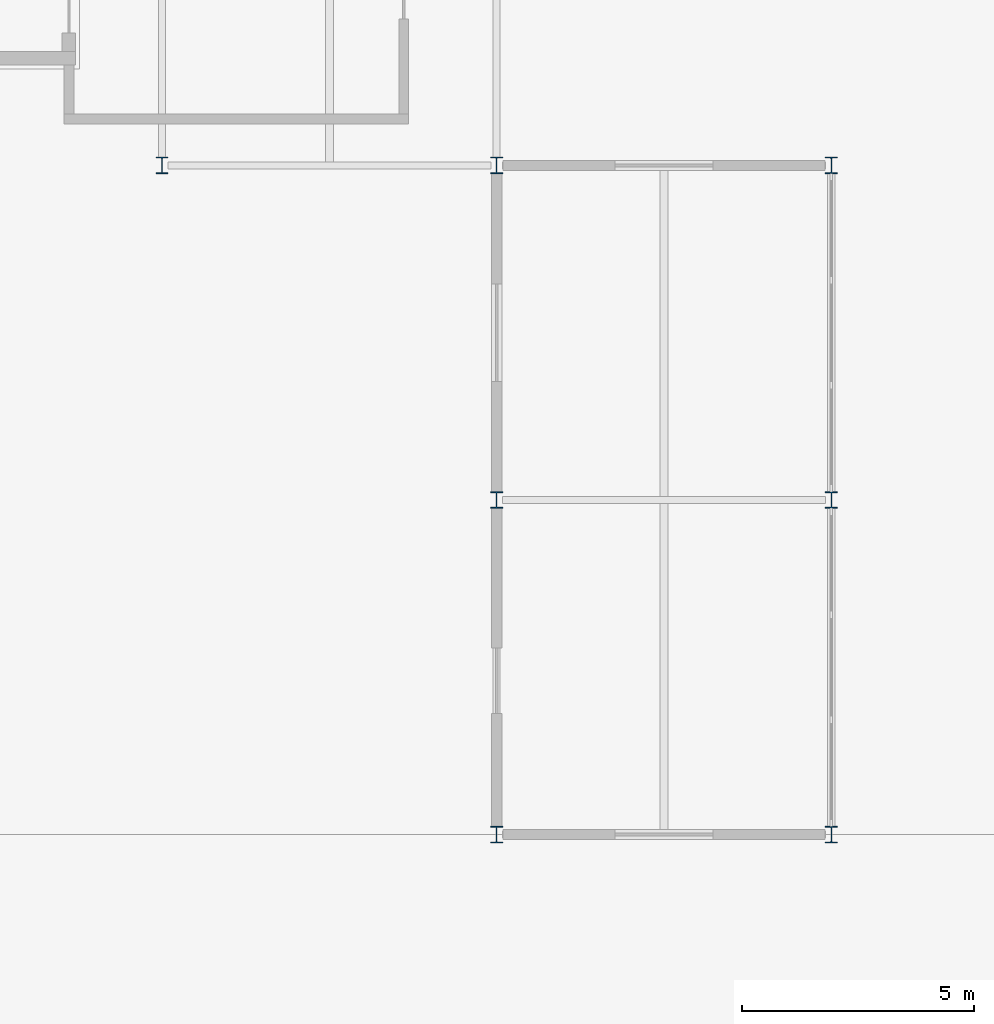
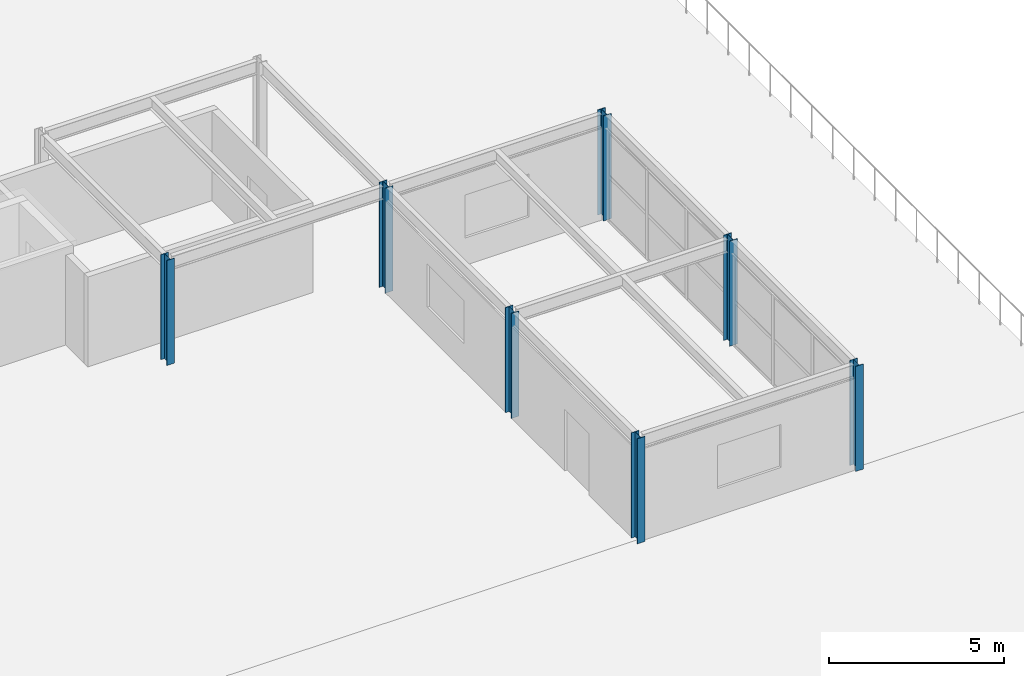
# One storey, part 11 of 52: 7 columns.
"""IFC4 building model written with IfcOpenShell, lengths in metres."""

import ifcopenshell
import ifcopenshell.guid

model = None  # the IFC model being written
_history = None  # IfcOwnerHistory: only IFC2X3 demands one
_inside = {}  # id of a spatial element -> (the spatial element, [elements in it])
_under = {}  # id of a project, library or spatial element -> (it, [spatial elements below it])
_declared = {}  # id of a project -> (the project, [libraries it declares])
_typed = {}  # id of a type object -> (the type object, [elements of that type])
_made_of = {}  # id of a material, layer set ... -> (it, [elements and type objects made of it])


def new_model(schema):
    """Start an empty IFC model of exactly this schema.

    Asked for "IFC4X3", IfcOpenShell would pick the latest addendum, in which some entities
    have other attributes; the version numbers below select the first issue.
    IFC2X3 requires an IfcOwnerHistory on every rooted entity: one is made here for all.
    """
    global model, _history
    if schema == "IFC4X3":
        model = ifcopenshell.file(schema_version=(4, 3, 0, 0))
    else:
        model = ifcopenshell.file(schema=schema)
    _inside.clear()
    _under.clear()
    _declared.clear()
    _typed.clear()
    _made_of.clear()
    _history = None
    if model.schema == "IFC2X3":
        org = make("IfcOrganization", Name="unknown")
        user = make(
            "IfcPersonAndOrganization",
            ThePerson=make("IfcPerson", FamilyName="unknown"),
            TheOrganization=org,
        )
        app = make(
            "IfcApplication",
            ApplicationDeveloper=org,
            Version="unknown",
            ApplicationFullName="unknown",
            ApplicationIdentifier="unknown",
        )
        _history = make(
            "IfcOwnerHistory",
            OwningUser=user,
            OwningApplication=app,
            ChangeAction="ADDED",
            CreationDate=0,
        )
    return model


def make(cls, **values):
    """One entity of the class cls with the attributes given. An attribute that is None is left unset."""
    return model.create_entity(
        cls, **{name: value for name, value in values.items() if value is not None}
    )


def rooted(cls, **values):
    """An entity with a GlobalId (a new one), such as an element, a storey or a relation."""
    return make(cls, GlobalId=ifcopenshell.guid.new(), OwnerHistory=_history, **values)


def si_unit(unit_type, name, prefix=None):
    """IfcSIUnit, for example si_unit("LENGTHUNIT", "METRE", prefix="MILLI")."""
    return make("IfcSIUnit", UnitType=unit_type, Prefix=prefix, Name=name)


def assignment(units):
    """IfcUnitAssignment: the units of a project."""
    return None if units is None else make("IfcUnitAssignment", Units=units)


def point(xyz):
    """IfcCartesianPoint."""
    return None if xyz is None else make("IfcCartesianPoint", Coordinates=xyz)


def direction(xyz):
    """IfcDirection."""
    return None if xyz is None else make("IfcDirection", DirectionRatios=xyz)


def frame(location, z_axis=None, x_axis=None):
    """IfcAxis2Placement3D, a coordinate frame: its origin and axes. An axis left out is left unset."""
    return make(
        "IfcAxis2Placement3D",
        Location=point(location),
        Axis=direction(z_axis),
        RefDirection=direction(x_axis),
    )


def frame_2d(location, x_axis=None):
    """IfcAxis2Placement2D, a coordinate frame in the plane: its origin and x axis."""
    return make(
        "IfcAxis2Placement2D", Location=point(location), RefDirection=direction(x_axis)
    )


def origin():
    """The frame at (0, 0, 0) with its axes left unset."""
    return frame((0.0, 0.0, 0.0))


def origin_2d():
    """The frame at (0, 0) in the plane with its x axis left unset."""
    return frame_2d((0.0, 0.0))


def place(relative_to, where):
    """IfcLocalPlacement: puts the frame where relative to a parent placement (None: the world)."""
    return make(
        "IfcLocalPlacement", PlacementRelTo=relative_to, RelativePlacement=where
    )


def context(
    kind, dimensions, precision=None, world=None, true_north=None, identifier=None
):
    """IfcGeometricRepresentationContext, for example the 3D "Model" context."""
    return make(
        "IfcGeometricRepresentationContext",
        ContextIdentifier=identifier,
        ContextType=kind,
        CoordinateSpaceDimension=dimensions,
        Precision=precision,
        WorldCoordinateSystem=world,
        TrueNorth=true_north,
    )


def subcontext(parent, identifier, kind, view, scale=None):
    """IfcGeometricRepresentationSubContext, for example "Body" below "Model"."""
    return make(
        "IfcGeometricRepresentationSubContext",
        ContextIdentifier=identifier,
        ContextType=kind,
        ParentContext=parent,
        TargetScale=scale,
        TargetView=view,
    )


def project(units=None, contexts=None):
    """IfcProject with its units and contexts."""
    return rooted(
        "IfcProject",
        Name="project",
        RepresentationContexts=contexts,
        UnitsInContext=assignment(units),
    )


def spatial(cls, under=None, at=None, **own):
    """A site, building, storey or space (cls), placed at a placement, below another one or the project."""
    s = rooted(cls, ObjectPlacement=at, **own)
    if under is not None:
        _under.setdefault(under.id(), (under, []))[1].append(s)
    return s


def profile(cls, at=None, kind="AREA", **sizes):
    """A parametric profile (cls). Its sizes go by their IFC names, for example OverallWidth=200.0."""
    return make(cls, ProfileType=kind, Position=at, **sizes)


def i_section(**sizes):
    """IfcIShapeProfileDef."""
    return profile("IfcIShapeProfileDef", **sizes)


def extrude(swept, where, along, depth):
    """IfcExtrudedAreaSolid: the profile swept, set in the frame where, extruded along a direction by depth."""
    return make(
        "IfcExtrudedAreaSolid",
        SweptArea=swept,
        Position=where,
        ExtrudedDirection=direction(along),
        Depth=depth,
    )


def shape(context_of_items, identifier, shape_type, items):
    """IfcShapeRepresentation: the items that make up one representation, for example the "Body"."""
    return make(
        "IfcShapeRepresentation",
        ContextOfItems=context_of_items,
        RepresentationIdentifier=identifier,
        RepresentationType=shape_type,
        Items=items,
    )


def material(Name=None, Category=None):
    """IfcMaterial."""
    return make("IfcMaterial", Name=Name, Category=Category)


def material_profile(
    of_material, cross_section, Name=None, Category=None, Priority=None
):
    """IfcMaterialProfile: a cross section and its material."""
    return make(
        "IfcMaterialProfile",
        Name=Name,
        Material=of_material,
        Profile=cross_section,
        Priority=Priority,
        Category=Category,
    )


def profile_set(profiles, Name=None, composite=None):
    """IfcMaterialProfileSet."""
    return make(
        "IfcMaterialProfileSet",
        Name=Name,
        MaterialProfiles=profiles,
        CompositeProfile=composite,
    )


def made_of(thing, what):
    """Note that an element or type object is made of a material, layer set ...; save() writes the relation."""
    if what is not None:
        _made_of.setdefault(what.id(), (what, []))[1].append(thing)
    return thing


def type_object(cls, material=None, **own):
    """A type object (cls), such as IfcWallType, which elements share."""
    return made_of(rooted(cls, **own), material)


def element(
    cls,
    number,
    at=None,
    inside=None,
    cuts=None,
    type_object=None,
    material=None,
    context=None,
    identifier="Body",
    shape_type=None,
    held_by="IfcProductDefinitionShape",
    body=None,
    shapes=None,
    **own,
):
    """One element of the class cls, such as IfcWall. Its Tag is "e" and its number.

    at: its placement. inside: the storey or other place that contains it. cuts: it is an
    opening in that element (IfcRelVoidsElement). A single representation is given by context,
    identifier, shape_type and body (its items); several are given by shapes. held_by: the class
    of the entity that holds the representations. save() writes the other relations.
    """
    e = rooted(cls, Tag="e%d" % number, ObjectPlacement=at, **own)
    if body is not None:
        shapes = [shape(context, identifier, shape_type, body)]
    if shapes is not None:
        e.Representation = make(held_by, Representations=shapes)
    if inside is not None:
        _inside.setdefault(inside.id(), (inside, []))[1].append(e)
    if cuts is not None:
        rooted(
            "IfcRelVoidsElement", RelatingBuildingElement=cuts, RelatedOpeningElement=e
        )
    if type_object is not None:
        _typed.setdefault(type_object.id(), (type_object, []))[1].append(e)
    return made_of(e, material)


def aggregate(whole, parts):
    """IfcRelAggregates: a whole, such as a stair, and the parts it consists of."""
    return rooted("IfcRelAggregates", RelatingObject=whole, RelatedObjects=parts)


def save(model, path):
    """Write the relations noted so far, then the file.

    IfcRelAggregates (storeys below a building ...), IfcRelContainedInSpatialStructure (elements
    in a storey), IfcRelDefinesByType, IfcRelAssociatesMaterial and IfcRelDeclares: one each for
    every whole, place, type object, material and project.
    """
    for whole, parts in _under.values():
        aggregate(whole, parts)
    for where, things in _inside.values():
        rooted(
            "IfcRelContainedInSpatialStructure",
            RelatedElements=things,
            RelatingStructure=where,
        )
    for kind, things in _typed.values():
        rooted("IfcRelDefinesByType", RelatedObjects=things, RelatingType=kind)
    for what, things in _made_of.values():
        rooted("IfcRelAssociatesMaterial", RelatedObjects=things, RelatingMaterial=what)
    for by, libraries in _declared.values():
        rooted("IfcRelDeclares", RelatingContext=by, RelatedDefinitions=libraries)
    model.write(path)


model = new_model("IFC4")

# Units and contexts
model_context = context("Model", 3, precision=1e-05, world=origin(), true_north=direction((0.0, 1.0)))
body_context = subcontext(model_context, "Body", "Model", "MODEL_VIEW")
ifc_project = project(units=[si_unit("LENGTHUNIT", "METRE"), si_unit("AREAUNIT", "SQUARE_METRE"), si_unit("VOLUMEUNIT", "CUBIC_METRE"), si_unit("PLANEANGLEUNIT", "RADIAN"), si_unit("MASSUNIT", "GRAM", prefix="KILO")], contexts=[model_context])

# Site, building, storey
site_placement = place(None, origin())
site = spatial("IfcSite", under=ifc_project, at=site_placement, CompositionType="ELEMENT")
building_placement = place(site_placement, origin())
building = spatial("IfcBuilding", under=site, at=building_placement, Name="Vaelcorin Mobility Hub", CompositionType="ELEMENT")
storey_placement = place(building_placement, frame((0.0, 0.0, 13.199951171875)))
storey = spatial("IfcBuildingStorey", under=building, at=storey_placement, Name="L03", CompositionType="ELEMENT", Elevation=13.199951171875)

# Columns
ifc_material = material(Name="Steel ASTM A992 Grade 50", Category="steel")
ifc_material_profile = material_profile(ifc_material, i_section(OverallWidth=0.25390625, OverallDepth=0.35595703125, WebThickness=0.010498046875, FlangeThickness=0.018310546875, FilletRadius=0.014892578125, at=origin_2d()), Name="W14X68")
ifc_profile_set = profile_set([ifc_material_profile], Name="Steel ASTM A992 Grade 50")
column_type = type_object("IfcColumnType", Name="COL-W14X68", PredefinedType="COLUMN", material=ifc_profile_set)
for number, where, z_axis, x_axis, name in (
    (1, (168.0, 98.39990234375, 0.0), (0.0, 0.0, 1.0), (1.0, 0.0, 0.0), "Column V5-X03Y12 L03"),
    (2, (175.199951171875, 84.0, 0.0), (0.0, 0.0, 1.0), (1.0, 0.0, 0.0), "Column V5-X04Y10 L03"),
    (3, (175.199951171875, 91.199951171875, 0.0), (0.0, 0.0, 1.0), (1.0, 0.0, 0.0), "Column V5-X04Y11 L03"),
    (4, (175.199951171875, 98.39990234375, 0.0), (0.0, 0.0, 1.0), (1.0, 0.0, 0.0), "Column V5-X04Y12 L03"),
    (5, (182.39990234375, 84.0, 0.0), (0.0, 0.0, 1.0), (1.0, 0.0, 0.0), "Column V5-X05Y10 L03"),
    (6, (182.39990234375, 91.199951171875, 0.0), (0.0, 0.0, 1.0), (1.0, 0.0, 0.0), "Column V5-X05Y11 L03"),
    (7, (182.39990234375, 98.39990234375, 0.0), (0.0, 0.0, 1.0), (1.0, 0.0, 0.0), "Column V5-X05Y12 L03"),
):
    element("IfcColumn", number, at=place(storey_placement, frame(where, z_axis=z_axis, x_axis=x_axis)), inside=storey, type_object=column_type, Name=name, PredefinedType="COLUMN", context=body_context, shape_type="SweptSolid", body=[
        extrude(i_section(OverallWidth=0.25390625, OverallDepth=0.35595703125, WebThickness=0.010498046875, FlangeThickness=0.018310546875, FilletRadius=0.014892578125, at=origin_2d()), origin(), (0.0, 0.0, 1.0), 3.66015625),
    ])

save(model, "model.ifc")
